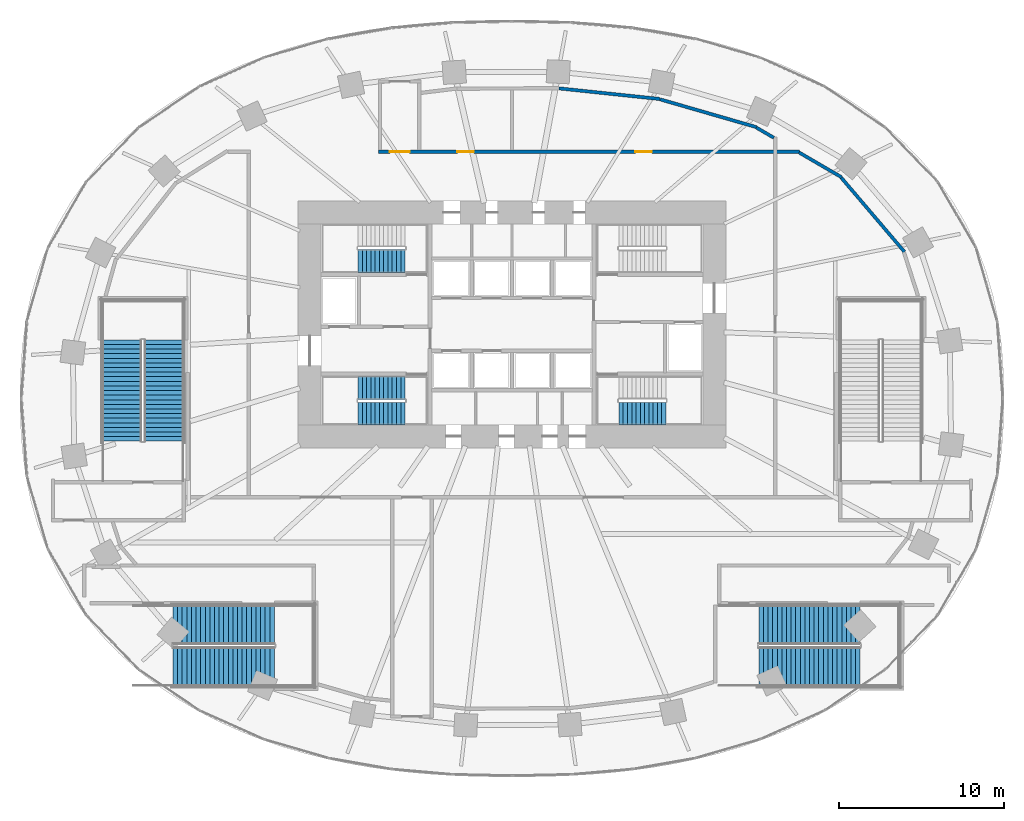
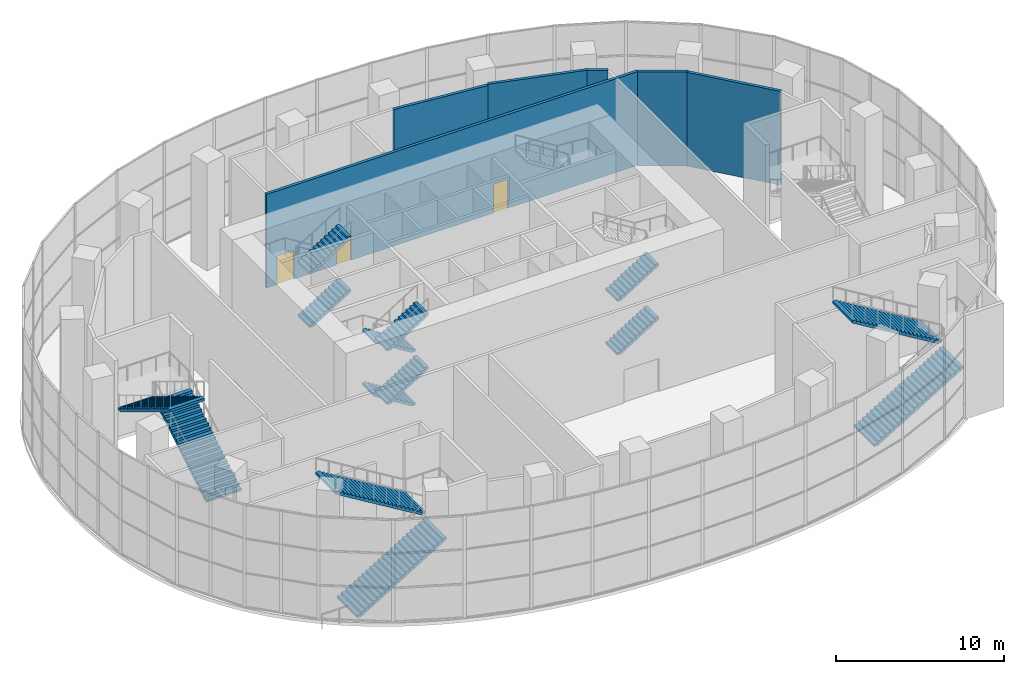
# One storey, part 16 of 22: 14 stair flights, 6 walls, 3 doors, 3 openings, 6 elements without a shape of their own.
"""IFC4 building model written with IfcOpenShell, lengths in metres."""

import ifcopenshell
import ifcopenshell.guid

model = None  # the IFC model being written
_history = None  # IfcOwnerHistory: only IFC2X3 demands one
_inside = {}  # id of a spatial element -> (the spatial element, [elements in it])
_under = {}  # id of a project, library or spatial element -> (it, [spatial elements below it])
_declared = {}  # id of a project -> (the project, [libraries it declares])
_typed = {}  # id of a type object -> (the type object, [elements of that type])
_made_of = {}  # id of a material, layer set ... -> (it, [elements and type objects made of it])


def new_model(schema):
    """Start an empty IFC model of exactly this schema.

    Asked for "IFC4X3", IfcOpenShell would pick the latest addendum, in which some entities
    have other attributes; the version numbers below select the first issue.
    IFC2X3 requires an IfcOwnerHistory on every rooted entity: one is made here for all.
    """
    global model, _history
    if schema == "IFC4X3":
        model = ifcopenshell.file(schema_version=(4, 3, 0, 0))
    else:
        model = ifcopenshell.file(schema=schema)
    _inside.clear()
    _under.clear()
    _declared.clear()
    _typed.clear()
    _made_of.clear()
    _history = None
    if model.schema == "IFC2X3":
        org = make("IfcOrganization", Name="unknown")
        user = make(
            "IfcPersonAndOrganization",
            ThePerson=make("IfcPerson", FamilyName="unknown"),
            TheOrganization=org,
        )
        app = make(
            "IfcApplication",
            ApplicationDeveloper=org,
            Version="unknown",
            ApplicationFullName="unknown",
            ApplicationIdentifier="unknown",
        )
        _history = make(
            "IfcOwnerHistory",
            OwningUser=user,
            OwningApplication=app,
            ChangeAction="ADDED",
            CreationDate=0,
        )
    return model


def make(cls, **values):
    """One entity of the class cls with the attributes given. An attribute that is None is left unset."""
    return model.create_entity(
        cls, **{name: value for name, value in values.items() if value is not None}
    )


def rooted(cls, **values):
    """An entity with a GlobalId (a new one), such as an element, a storey or a relation."""
    return make(cls, GlobalId=ifcopenshell.guid.new(), OwnerHistory=_history, **values)


def si_unit(unit_type, name, prefix=None):
    """IfcSIUnit, for example si_unit("LENGTHUNIT", "METRE", prefix="MILLI")."""
    return make("IfcSIUnit", UnitType=unit_type, Prefix=prefix, Name=name)


def assignment(units):
    """IfcUnitAssignment: the units of a project."""
    return None if units is None else make("IfcUnitAssignment", Units=units)


def point(xyz):
    """IfcCartesianPoint."""
    return None if xyz is None else make("IfcCartesianPoint", Coordinates=xyz)


def direction(xyz):
    """IfcDirection."""
    return None if xyz is None else make("IfcDirection", DirectionRatios=xyz)


def frame(location, z_axis=None, x_axis=None):
    """IfcAxis2Placement3D, a coordinate frame: its origin and axes. An axis left out is left unset."""
    return make(
        "IfcAxis2Placement3D",
        Location=point(location),
        Axis=direction(z_axis),
        RefDirection=direction(x_axis),
    )


def frame_2d(location, x_axis=None):
    """IfcAxis2Placement2D, a coordinate frame in the plane: its origin and x axis."""
    return make(
        "IfcAxis2Placement2D", Location=point(location), RefDirection=direction(x_axis)
    )


def origin():
    """The frame at (0, 0, 0) with its axes left unset."""
    return frame((0.0, 0.0, 0.0))


def place(relative_to, where):
    """IfcLocalPlacement: puts the frame where relative to a parent placement (None: the world)."""
    return make(
        "IfcLocalPlacement", PlacementRelTo=relative_to, RelativePlacement=where
    )


def context(
    kind, dimensions, precision=None, world=None, true_north=None, identifier=None
):
    """IfcGeometricRepresentationContext, for example the 3D "Model" context."""
    return make(
        "IfcGeometricRepresentationContext",
        ContextIdentifier=identifier,
        ContextType=kind,
        CoordinateSpaceDimension=dimensions,
        Precision=precision,
        WorldCoordinateSystem=world,
        TrueNorth=true_north,
    )


def subcontext(parent, identifier, kind, view, scale=None):
    """IfcGeometricRepresentationSubContext, for example "Body" below "Model"."""
    return make(
        "IfcGeometricRepresentationSubContext",
        ContextIdentifier=identifier,
        ContextType=kind,
        ParentContext=parent,
        TargetScale=scale,
        TargetView=view,
    )


def project(units=None, contexts=None):
    """IfcProject with its units and contexts."""
    return rooted(
        "IfcProject",
        Name="project",
        RepresentationContexts=contexts,
        UnitsInContext=assignment(units),
    )


def spatial(cls, under=None, at=None, **own):
    """A site, building, storey or space (cls), placed at a placement, below another one or the project."""
    s = rooted(cls, ObjectPlacement=at, **own)
    if under is not None:
        _under.setdefault(under.id(), (under, []))[1].append(s)
    return s


def polyline(points):
    """IfcPolyline through the points."""
    return make("IfcPolyline", Points=[point(p) for p in points])


def profile(cls, at=None, kind="AREA", **sizes):
    """A parametric profile (cls). Its sizes go by their IFC names, for example OverallWidth=200.0."""
    return make(cls, ProfileType=kind, Position=at, **sizes)


def rectangle(**sizes):
    """IfcRectangleProfileDef."""
    return profile("IfcRectangleProfileDef", **sizes)


def outline(outer, holes=None, kind="AREA"):
    """IfcArbitraryClosedProfileDef: a profile drawn as a closed curve; with holes, ...WithVoids."""
    if holes is None:
        return make("IfcArbitraryClosedProfileDef", ProfileType=kind, OuterCurve=outer)
    return make(
        "IfcArbitraryProfileDefWithVoids",
        ProfileType=kind,
        OuterCurve=outer,
        InnerCurves=holes,
    )


def extrude(swept, where, along, depth):
    """IfcExtrudedAreaSolid: the profile swept, set in the frame where, extruded along a direction by depth."""
    return make(
        "IfcExtrudedAreaSolid",
        SweptArea=swept,
        Position=where,
        ExtrudedDirection=direction(along),
        Depth=depth,
    )


def shape(context_of_items, identifier, shape_type, items):
    """IfcShapeRepresentation: the items that make up one representation, for example the "Body"."""
    return make(
        "IfcShapeRepresentation",
        ContextOfItems=context_of_items,
        RepresentationIdentifier=identifier,
        RepresentationType=shape_type,
        Items=items,
    )


def material(Name=None, Category=None):
    """IfcMaterial."""
    return make("IfcMaterial", Name=Name, Category=Category)


def layer(
    of_material, thickness, ventilated=None, Name=None, Category=None, Priority=None
):
    """IfcMaterialLayer: one layer of a wall or slab, of a material (None: an air gap)."""
    return make(
        "IfcMaterialLayer",
        Material=of_material,
        LayerThickness=thickness,
        IsVentilated=ventilated,
        Name=Name,
        Category=Category,
        Priority=Priority,
    )


def layer_set(layers, Name=None):
    """IfcMaterialLayerSet."""
    return make("IfcMaterialLayerSet", MaterialLayers=layers, LayerSetName=Name)


def made_of(thing, what):
    """Note that an element or type object is made of a material, layer set ...; save() writes the relation."""
    if what is not None:
        _made_of.setdefault(what.id(), (what, []))[1].append(thing)
    return thing


def type_object(cls, material=None, **own):
    """A type object (cls), such as IfcWallType, which elements share."""
    return made_of(rooted(cls, **own), material)


def element(
    cls,
    number,
    at=None,
    inside=None,
    cuts=None,
    type_object=None,
    material=None,
    context=None,
    identifier="Body",
    shape_type=None,
    held_by="IfcProductDefinitionShape",
    body=None,
    shapes=None,
    **own,
):
    """One element of the class cls, such as IfcWall. Its Tag is "e" and its number.

    at: its placement. inside: the storey or other place that contains it. cuts: it is an
    opening in that element (IfcRelVoidsElement). A single representation is given by context,
    identifier, shape_type and body (its items); several are given by shapes. held_by: the class
    of the entity that holds the representations. save() writes the other relations.
    """
    e = rooted(cls, Tag="e%d" % number, ObjectPlacement=at, **own)
    if body is not None:
        shapes = [shape(context, identifier, shape_type, body)]
    if shapes is not None:
        e.Representation = make(held_by, Representations=shapes)
    if inside is not None:
        _inside.setdefault(inside.id(), (inside, []))[1].append(e)
    if cuts is not None:
        rooted(
            "IfcRelVoidsElement", RelatingBuildingElement=cuts, RelatedOpeningElement=e
        )
    if type_object is not None:
        _typed.setdefault(type_object.id(), (type_object, []))[1].append(e)
    return made_of(e, material)


def fill(opening, filler):
    """IfcRelFillsElement: the door or window that sits in an opening."""
    return rooted(
        "IfcRelFillsElement",
        RelatingOpeningElement=opening,
        RelatedBuildingElement=filler,
    )


def aggregate(whole, parts):
    """IfcRelAggregates: a whole, such as a stair, and the parts it consists of."""
    return rooted("IfcRelAggregates", RelatingObject=whole, RelatedObjects=parts)


def save(model, path):
    """Write the relations noted so far, then the file.

    IfcRelAggregates (storeys below a building ...), IfcRelContainedInSpatialStructure (elements
    in a storey), IfcRelDefinesByType, IfcRelAssociatesMaterial and IfcRelDeclares: one each for
    every whole, place, type object, material and project.
    """
    for whole, parts in _under.values():
        aggregate(whole, parts)
    for where, things in _inside.values():
        rooted(
            "IfcRelContainedInSpatialStructure",
            RelatedElements=things,
            RelatingStructure=where,
        )
    for kind, things in _typed.values():
        rooted("IfcRelDefinesByType", RelatedObjects=things, RelatingType=kind)
    for what, things in _made_of.values():
        rooted("IfcRelAssociatesMaterial", RelatedObjects=things, RelatingMaterial=what)
    for by, libraries in _declared.values():
        rooted("IfcRelDeclares", RelatingContext=by, RelatedDefinitions=libraries)
    model.write(path)


model = new_model("IFC4")

# Units and contexts
model_context = context("Model", 3, precision=1e-05, world=origin(), true_north=direction((0.0, 1.0)))
body_context = subcontext(model_context, "Body", "Model", "MODEL_VIEW")
ifc_project = project(units=[si_unit("LENGTHUNIT", "METRE"), si_unit("AREAUNIT", "SQUARE_METRE"), si_unit("VOLUMEUNIT", "CUBIC_METRE"), si_unit("PLANEANGLEUNIT", "RADIAN"), si_unit("MASSUNIT", "GRAM", prefix="KILO")], contexts=[model_context])

# Site, building, storey
site_placement = place(None, origin())
site = spatial("IfcSite", under=ifc_project, at=site_placement, CompositionType="ELEMENT")
building_placement = place(site_placement, origin())
building = spatial("IfcBuilding", under=site, at=building_placement, Name="Rubra Terraces Tower", CompositionType="ELEMENT")
storey_placement = place(building_placement, frame((0.0, 0.0, 15.0)))
storey = spatial("IfcBuildingStorey", under=building, at=storey_placement, Name="L02", CompositionType="ELEMENT", Elevation=15.0)

# Wall, openings, doors
ifc_material_1 = material(Name="Blockwork", Category="masonry")
ifc_layer_1 = layer(ifc_material_1, 0.199951171875)
ifc_layer_set_1 = layer_set([ifc_layer_1], Name="Blockwork")
wall_type_1 = type_object("IfcWallType", Name="Corridor partition 200 blockwork", PredefinedType="PARTITIONING", material=ifc_layer_set_1)
wall_1_placement = place(storey_placement, frame((17.45703125, 15.0, 0.0), z_axis=(0.0, 0.0, 1.0), x_axis=(-1.0, 0.0, 0.0)))
wall_1 = element("IfcWall", 1, at=wall_1_placement, inside=storey, type_object=wall_type_1, Name="Partition wall", PredefinedType="PARTITIONING", context=body_context, shape_type="SweptSolid", body=[
    extrude(rectangle(XDim=25.5849609375, YDim=0.199951171875, at=frame_2d((12.79248046875, 0.0))), origin(), (0.0, 0.0, 1.0), 6.830078125),
])
opening_1_placement = place(wall_1_placement, frame((23.68505859375, 0.0, 0.0)))
opening_1 = element("IfcOpeningElement", 2, at=opening_1_placement, cuts=wall_1, Name="Opening DB7", PredefinedType="OPENING", context=body_context, shape_type="SweptSolid", body=[
    extrude(rectangle(XDim=1.199951171875, YDim=2.10009765625, at=frame_2d((0.60009765625, 1.050048828125))), frame((0.0, 0.10986328125, 0.0), z_axis=(0.0, -1.0, 0.0), x_axis=(1.0, 0.0, 0.0)), (0.0, 0.0, 1.0), 0.219970703125),
])
opening_2_placement = place(wall_1_placement, frame((19.77099609375, 0.0, 0.0)))
opening_2 = element("IfcOpeningElement", 3, at=opening_2_placement, cuts=wall_1, Name="Opening DB1", PredefinedType="OPENING", context=body_context, shape_type="SweptSolid", body=[
    extrude(rectangle(XDim=1.0, YDim=2.10009765625, at=frame_2d((0.5, 1.050048828125))), frame((0.0, 0.10986328125, 0.0), z_axis=(0.0, -1.0, 0.0), x_axis=(1.0, 0.0, 0.0)), (0.0, 0.0, 1.0), 0.219970703125),
])
opening_3_placement = place(wall_1_placement, frame((8.95703125, 0.0, 0.0)))
opening_3 = element("IfcOpeningElement", 4, at=opening_3_placement, cuts=wall_1, Name="Opening DB1", PredefinedType="OPENING", context=body_context, shape_type="SweptSolid", body=[
    extrude(rectangle(XDim=1.0, YDim=2.10009765625, at=frame_2d((0.5, 1.050048828125))), frame((0.0, 0.10986328125, 0.0), z_axis=(0.0, -1.0, 0.0), x_axis=(1.0, 0.0, 0.0)), (0.0, 0.0, 1.0), 0.219970703125),
])
ifc_material_2 = material(Name="Painted timber", Category="wood")
door_type_1 = type_object("IfcDoorType", Name="Door 1000x2100 single", OperationType="NOTDEFINED", PredefinedType="DOOR", material=ifc_material_2)
door_1_placement = place(opening_2_placement, origin())
door_1 = element("IfcDoor", 5, at=door_1_placement, inside=storey, type_object=door_type_1, Name="Door L02-13", OperationType="SINGLE_SWING_LEFT", OverallHeight=2.10009765625, OverallWidth=1.0, PredefinedType="DOOR", context=body_context, shape_type="SweptSolid", body=[
    extrude(rectangle(XDim=1.0, YDim=2.10009765625, at=frame_2d((0.5, 1.050048828125))), frame((0.0, 0.02490234375, 0.0), z_axis=(0.0, -1.0, 0.0), x_axis=(1.0, 0.0, 0.0)), (0.0, 0.0, 1.0), 0.050048828125),
])
fill(opening_2, door_1)
door_2_placement = place(opening_3_placement, origin())
door_2 = element("IfcDoor", 6, at=door_2_placement, inside=storey, type_object=door_type_1, Name="Door L02-14", OperationType="SINGLE_SWING_LEFT", OverallHeight=2.10009765625, OverallWidth=1.0, PredefinedType="DOOR", context=body_context, shape_type="SweptSolid", body=[
    extrude(rectangle(XDim=1.0, YDim=2.10009765625, at=frame_2d((0.5, 1.050048828125))), frame((0.0, 0.02490234375, 0.0), z_axis=(0.0, -1.0, 0.0), x_axis=(1.0, 0.0, 0.0)), (0.0, 0.0, 1.0), 0.050048828125),
])
fill(opening_3, door_2)
door_type_2 = type_object("IfcDoorType", Name="Door 1200x2100 single", OperationType="NOTDEFINED", PredefinedType="DOOR", material=ifc_material_2)
door_3_placement = place(opening_1_placement, origin())
door_3 = element("IfcDoor", 7, at=door_3_placement, inside=storey, type_object=door_type_2, Name="Door L02-01", OperationType="SINGLE_SWING_LEFT", OverallHeight=2.10009765625, OverallWidth=1.199951171875, PredefinedType="DOOR", context=body_context, shape_type="SweptSolid", body=[
    extrude(rectangle(XDim=1.199951171875, YDim=2.10009765625, at=frame_2d((0.60009765625, 1.050048828125))), frame((0.0, 0.02490234375, 0.0), z_axis=(0.0, -1.0, 0.0), x_axis=(1.0, 0.0, 0.0)), (0.0, 0.0, 1.0), 0.050048828125),
])
fill(opening_1, door_3)

# Walls
wall_2_placement = place(storey_placement, frame((17.443115234375, 14.949951171875, 0.0), z_axis=(0.0, 0.0, 1.0), x_axis=(0.863767096464, -0.503891261153, 0.0)))
element("IfcWall", 8, at=wall_2_placement, inside=storey, type_object=wall_type_1, Name="Partition wall", PredefinedType="PARTITIONING", context=body_context, shape_type="SweptSolid", body=[
    extrude(rectangle(XDim=3.00048828125, YDim=0.199951171875, at=frame_2d((1.500244140625, 0.0))), origin(), (0.0, 0.0, 1.0), 6.830078125),
])
wall_3_placement = place(storey_placement, frame((20.013916015625, 13.412109375, 0.0), z_axis=(0.0, 0.0, 1.0), x_axis=(0.648657765017, -0.761080221714, 0.0)))
element("IfcWall", 9, at=wall_3_placement, inside=storey, type_object=wall_type_1, Name="Partition wall", PredefinedType="PARTITIONING", context=body_context, shape_type="SweptSolid", body=[
    extrude(rectangle(XDim=5.91552734375, YDim=0.199951171875, at=frame_2d((2.957763671875, 0.0))), origin(), (0.0, 0.0, 1.0), 6.830078125),
])
wall_4_placement = place(storey_placement, frame((2.860107421875, 18.843994140625, 0.0), z_axis=(0.0, 0.0, 1.0), x_axis=(0.994494179805, -0.10479182379, 0.0)))
element("IfcWall", 10, at=wall_4_placement, inside=storey, type_object=wall_type_1, Name="Partition wall", PredefinedType="PARTITIONING", context=body_context, shape_type="SweptSolid", body=[
    extrude(rectangle(XDim=6.173828125, YDim=0.199951171875, at=frame_2d((3.0869140625, 0.0))), origin(), (0.0, 0.0, 1.0), 6.830078125),
])
ifc_layer_2 = layer(ifc_material_1, 0.199951171875)
ifc_layer_set_2 = layer_set([ifc_layer_2], Name="Blockwork")
wall_type_2 = type_object("IfcWallType", Name="Room partition 200 blockwork", PredefinedType="PARTITIONING", material=ifc_layer_set_2)
wall_5_placement = place(storey_placement, frame((8.9970703125, 18.178955078125, 0.0), z_axis=(0.0, 0.0, 1.0), x_axis=(0.960743591904, -0.277437831982, 0.0)))
element("IfcWall", 11, at=wall_5_placement, inside=storey, type_object=wall_type_2, Name="Partition wall", PredefinedType="PARTITIONING", context=body_context, shape_type="SweptSolid", body=[
    extrude(rectangle(XDim=6.098388671875, YDim=0.199951171875, at=frame_2d((3.04931640625, 0.0))), origin(), (0.0, 0.0, 1.0), 6.93408203125),
])
wall_6_placement = place(storey_placement, frame((14.845947265625, 16.465087890625, 0.0), z_axis=(0.0, 0.0, 1.0), x_axis=(0.863786061732, -0.503858749609, 0.0)))
element("IfcWall", 12, at=wall_6_placement, inside=storey, type_object=wall_type_2, Name="Partition wall", PredefinedType="PARTITIONING", context=body_context, shape_type="SweptSolid", body=[
    extrude(rectangle(XDim=1.236572265625, YDim=0.199951171875, at=frame_2d((0.6181640625, 0.0))), origin(), (0.0, 0.0, 1.0), 6.93408203125),
])

# Stair, stair flights
ifc_material_3 = material(Name="Concrete C40", Category="concrete")
stair_type_1 = type_object("IfcStairType", Name="Core stair 1400", PredefinedType="HALF_TURN_STAIR", material=ifc_material_3)
stair_1_placement = place(storey_placement, origin())
stair_1 = element("IfcStair", 13, at=stair_1_placement, inside=storey, type_object=stair_type_1, Name="L02 Exit stair S1", PredefinedType="HALF_TURN_STAIR")
stair_flight_type_1 = type_object("IfcStairFlightType", Name="Core stair flight 1400", PredefinedType="STRAIGHT", material=ifc_material_3)
stair_flight_1_placement = place(storey_placement, frame((-6.5, 0.64990234375, 0.0), z_axis=(0.0, 0.0, 1.0), x_axis=(-1.0, 0.0, 0.0)))
stair_flight_1 = element("IfcStairFlight", 14, at=stair_flight_1_placement, type_object=stair_flight_type_1, Name="S1 flight 1", NumberOfRisers=12, NumberOfTreads=11, PredefinedType="STRAIGHT", RiserHeight=0.1625, TreadLength=0.26, context=body_context, shape_type="SweptSolid", body=[
    extrude(outline(polyline([(0.0, 0.0), (0.0, 0.16259765625), (0.260009765625, 0.16259765625), (0.260009765625, 0.324951171875), (0.52001953125, 0.324951171875), (0.52001953125, 0.487548828125), (0.780029296875, 0.487548828125), (0.780029296875, 0.64990234375), (1.0400390625, 0.64990234375), (1.0400390625, 0.8125), (1.300048828125, 0.8125), (1.300048828125, 0.97509765625), (1.56005859375, 0.97509765625), (1.56005859375, 1.137451171875), (1.820068359375, 1.137451171875), (1.820068359375, 1.300048828125), (2.080078125, 1.300048828125), (2.080078125, 1.46240234375), (2.340087890625, 1.46240234375), (2.340087890625, 1.625), (2.60009765625, 1.625), (2.60009765625, 1.78759765625), (2.860107421875, 1.78759765625), (2.860107421875, 1.949951171875), (2.860107421875, 1.61083984375), (0.28271484375, 0.0), (0.0, 0.0)])), frame((0.0, 0.699951171875, 0.0), z_axis=(0.0, -1.0, 0.0), x_axis=(1.0, 0.0, 0.0)), (0.0, 0.0, 1.0), 1.39990234375),
])
stair_flight_2_placement = place(storey_placement, frame((-9.360107421875, -0.89990234375, 1.949951171875), z_axis=(0.0, 0.0, 1.0), x_axis=(1.0, 0.0, 0.0)))
stair_flight_2 = element("IfcStairFlight", 15, at=stair_flight_2_placement, type_object=stair_flight_type_1, Name="S1 flight 2", NumberOfRisers=12, NumberOfTreads=11, PredefinedType="STRAIGHT", RiserHeight=0.1625, TreadLength=0.26, context=body_context, shape_type="SweptSolid", body=[
    extrude(outline(polyline([(0.0, 0.0), (0.0, 0.16259765625), (0.260009765625, 0.16259765625), (0.260009765625, 0.324951171875), (0.52001953125, 0.324951171875), (0.52001953125, 0.487548828125), (0.780029296875, 0.487548828125), (0.780029296875, 0.64990234375), (1.0400390625, 0.64990234375), (1.0400390625, 0.8125), (1.300048828125, 0.8125), (1.300048828125, 0.97509765625), (1.56005859375, 0.97509765625), (1.56005859375, 1.137451171875), (1.820068359375, 1.137451171875), (1.820068359375, 1.300048828125), (2.080078125, 1.300048828125), (2.080078125, 1.46240234375), (2.340087890625, 1.46240234375), (2.340087890625, 1.625), (2.60009765625, 1.625), (2.60009765625, 1.78759765625), (2.860107421875, 1.78759765625), (2.860107421875, 1.949951171875), (2.860107421875, 1.61083984375), (0.28271484375, 0.0), (0.0, 0.0)])), frame((0.0, 0.699951171875, 0.0), z_axis=(0.0, -1.0, 0.0), x_axis=(1.0, 0.0, 0.0)), (0.0, 0.0, 1.0), 1.39990234375),
])
stair_flight_3_placement = place(storey_placement, frame((-6.5, 0.64990234375, 3.89990234375), z_axis=(0.0, 0.0, 1.0), x_axis=(-1.0, 0.0, 0.0)))
stair_flight_3 = element("IfcStairFlight", 16, at=stair_flight_3_placement, type_object=stair_flight_type_1, Name="S1 flight 3", NumberOfRisers=12, NumberOfTreads=11, PredefinedType="STRAIGHT", RiserHeight=0.1625, TreadLength=0.26, context=body_context, shape_type="SweptSolid", body=[
    extrude(outline(polyline([(0.0, 0.0), (0.0, 0.16259765625), (0.260009765625, 0.16259765625), (0.260009765625, 0.324951171875), (0.52001953125, 0.324951171875), (0.52001953125, 0.487548828125), (0.780029296875, 0.487548828125), (0.780029296875, 0.64990234375), (1.0400390625, 0.64990234375), (1.0400390625, 0.8125), (1.300048828125, 0.8125), (1.300048828125, 0.97509765625), (1.56005859375, 0.97509765625), (1.56005859375, 1.137451171875), (1.820068359375, 1.137451171875), (1.820068359375, 1.300048828125), (2.080078125, 1.300048828125), (2.080078125, 1.46240234375), (2.340087890625, 1.46240234375), (2.340087890625, 1.625), (2.60009765625, 1.625), (2.60009765625, 1.78759765625), (2.860107421875, 1.78759765625), (2.860107421875, 1.949951171875), (2.860107421875, 1.61083984375), (0.28271484375, 0.0), (0.0, 0.0)])), frame((0.0, 0.699951171875, 0.0), z_axis=(0.0, -1.0, 0.0), x_axis=(1.0, 0.0, 0.0)), (0.0, 0.0, 1.0), 1.39990234375),
])
stair_flight_4_placement = place(storey_placement, frame((-9.360107421875, -0.89990234375, 5.85009765625), z_axis=(0.0, 0.0, 1.0), x_axis=(1.0, 0.0, 0.0)))
stair_flight_4 = element("IfcStairFlight", 17, at=stair_flight_4_placement, type_object=stair_flight_type_1, Name="S1 flight 4", NumberOfRisers=12, NumberOfTreads=11, PredefinedType="STRAIGHT", RiserHeight=0.1625, TreadLength=0.26, context=body_context, shape_type="SweptSolid", body=[
    extrude(outline(polyline([(0.0, 0.0), (0.0, 0.16259765625), (0.260009765625, 0.16259765625), (0.260009765625, 0.324951171875), (0.52001953125, 0.324951171875), (0.52001953125, 0.487548828125), (0.780029296875, 0.487548828125), (0.780029296875, 0.64990234375), (1.0400390625, 0.64990234375), (1.0400390625, 0.8125), (1.300048828125, 0.8125), (1.300048828125, 0.97509765625), (1.56005859375, 0.97509765625), (1.56005859375, 1.137451171875), (1.820068359375, 1.137451171875), (1.820068359375, 1.300048828125), (2.080078125, 1.300048828125), (2.080078125, 1.46240234375), (2.340087890625, 1.46240234375), (2.340087890625, 1.625), (2.60009765625, 1.625), (2.60009765625, 1.78759765625), (2.860107421875, 1.78759765625), (2.860107421875, 1.949951171875), (2.860107421875, 1.61083984375), (0.28271484375, 0.0), (0.0, 0.0)])), frame((0.0, 0.699951171875, 0.0), z_axis=(0.0, -1.0, 0.0), x_axis=(1.0, 0.0, 0.0)), (0.0, 0.0, 1.0), 1.39990234375),
])
aggregate(stair_1, [stair_flight_1, stair_flight_2, stair_flight_3, stair_flight_4])

stair_2_placement = place(storey_placement, origin())
stair_2 = element("IfcStair", 18, at=stair_2_placement, inside=storey, type_object=stair_type_1, Name="L02 Exit stair S2", PredefinedType="HALF_TURN_STAIR")
stair_flight_5_placement = place(storey_placement, frame((-9.360107421875, 8.35009765625, 1.949951171875), z_axis=(0.0, 0.0, 1.0), x_axis=(1.0, 0.0, 0.0)))
stair_flight_5 = element("IfcStairFlight", 19, at=stair_flight_5_placement, type_object=stair_flight_type_1, Name="S2 flight 2", NumberOfRisers=12, NumberOfTreads=11, PredefinedType="STRAIGHT", RiserHeight=0.1625, TreadLength=0.26, context=body_context, shape_type="SweptSolid", body=[
    extrude(outline(polyline([(0.0, 0.0), (0.0, 0.16259765625), (0.260009765625, 0.16259765625), (0.260009765625, 0.324951171875), (0.52001953125, 0.324951171875), (0.52001953125, 0.487548828125), (0.780029296875, 0.487548828125), (0.780029296875, 0.64990234375), (1.0400390625, 0.64990234375), (1.0400390625, 0.8125), (1.300048828125, 0.8125), (1.300048828125, 0.97509765625), (1.56005859375, 0.97509765625), (1.56005859375, 1.137451171875), (1.820068359375, 1.137451171875), (1.820068359375, 1.300048828125), (2.080078125, 1.300048828125), (2.080078125, 1.46240234375), (2.340087890625, 1.46240234375), (2.340087890625, 1.625), (2.60009765625, 1.625), (2.60009765625, 1.78759765625), (2.860107421875, 1.78759765625), (2.860107421875, 1.949951171875), (2.860107421875, 1.61083984375), (0.28271484375, 0.0), (0.0, 0.0)])), frame((0.0, 0.699951171875, 0.0), z_axis=(0.0, -1.0, 0.0), x_axis=(1.0, 0.0, 0.0)), (0.0, 0.0, 1.0), 1.39990234375),
])
stair_flight_6_placement = place(storey_placement, frame((-9.360107421875, 8.35009765625, 5.85009765625), z_axis=(0.0, 0.0, 1.0), x_axis=(1.0, 0.0, 0.0)))
stair_flight_6 = element("IfcStairFlight", 20, at=stair_flight_6_placement, type_object=stair_flight_type_1, Name="S2 flight 4", NumberOfRisers=12, NumberOfTreads=11, PredefinedType="STRAIGHT", RiserHeight=0.1625, TreadLength=0.26, context=body_context, shape_type="SweptSolid", body=[
    extrude(outline(polyline([(0.0, 0.0), (0.0, 0.16259765625), (0.260009765625, 0.16259765625), (0.260009765625, 0.324951171875), (0.52001953125, 0.324951171875), (0.52001953125, 0.487548828125), (0.780029296875, 0.487548828125), (0.780029296875, 0.64990234375), (1.0400390625, 0.64990234375), (1.0400390625, 0.8125), (1.300048828125, 0.8125), (1.300048828125, 0.97509765625), (1.56005859375, 0.97509765625), (1.56005859375, 1.137451171875), (1.820068359375, 1.137451171875), (1.820068359375, 1.300048828125), (2.080078125, 1.300048828125), (2.080078125, 1.46240234375), (2.340087890625, 1.46240234375), (2.340087890625, 1.625), (2.60009765625, 1.625), (2.60009765625, 1.78759765625), (2.860107421875, 1.78759765625), (2.860107421875, 1.949951171875), (2.860107421875, 1.61083984375), (0.28271484375, 0.0), (0.0, 0.0)])), frame((0.0, 0.699951171875, 0.0), z_axis=(0.0, -1.0, 0.0), x_axis=(1.0, 0.0, 0.0)), (0.0, 0.0, 1.0), 1.39990234375),
])
aggregate(stair_2, [stair_flight_5, stair_flight_6])

stair_3_placement = place(storey_placement, origin())
stair_3 = element("IfcStair", 21, at=stair_3_placement, inside=storey, type_object=stair_type_1, Name="L02 Exit stair S4", PredefinedType="HALF_TURN_STAIR")
stair_flight_7_placement = place(storey_placement, frame((6.5, -0.89990234375, 0.0), z_axis=(0.0, 0.0, 1.0), x_axis=(1.0, 0.0, 0.0)))
stair_flight_7 = element("IfcStairFlight", 22, at=stair_flight_7_placement, type_object=stair_flight_type_1, Name="S4 flight 1", NumberOfRisers=12, NumberOfTreads=11, PredefinedType="STRAIGHT", RiserHeight=0.1625, TreadLength=0.26, context=body_context, shape_type="SweptSolid", body=[
    extrude(outline(polyline([(0.0, 0.0), (0.0, 0.16259765625), (0.260009765625, 0.16259765625), (0.260009765625, 0.324951171875), (0.52001953125, 0.324951171875), (0.52001953125, 0.487548828125), (0.780029296875, 0.487548828125), (0.780029296875, 0.64990234375), (1.0400390625, 0.64990234375), (1.0400390625, 0.8125), (1.300048828125, 0.8125), (1.300048828125, 0.97509765625), (1.56005859375, 0.97509765625), (1.56005859375, 1.137451171875), (1.820068359375, 1.137451171875), (1.820068359375, 1.300048828125), (2.080078125, 1.300048828125), (2.080078125, 1.46240234375), (2.340087890625, 1.46240234375), (2.340087890625, 1.625), (2.60009765625, 1.625), (2.60009765625, 1.78759765625), (2.860107421875, 1.78759765625), (2.860107421875, 1.949951171875), (2.860107421875, 1.61083984375), (0.28271484375, 0.0), (0.0, 0.0)])), frame((0.0, 0.699951171875, 0.0), z_axis=(0.0, -1.0, 0.0), x_axis=(1.0, 0.0, 0.0)), (0.0, 0.0, 1.0), 1.39990234375),
])
stair_flight_8_placement = place(storey_placement, frame((6.5, -0.89990234375, 3.89990234375), z_axis=(0.0, 0.0, 1.0), x_axis=(1.0, 0.0, 0.0)))
stair_flight_8 = element("IfcStairFlight", 23, at=stair_flight_8_placement, type_object=stair_flight_type_1, Name="S4 flight 3", NumberOfRisers=12, NumberOfTreads=11, PredefinedType="STRAIGHT", RiserHeight=0.1625, TreadLength=0.26, context=body_context, shape_type="SweptSolid", body=[
    extrude(outline(polyline([(0.0, 0.0), (0.0, 0.16259765625), (0.260009765625, 0.16259765625), (0.260009765625, 0.324951171875), (0.52001953125, 0.324951171875), (0.52001953125, 0.487548828125), (0.780029296875, 0.487548828125), (0.780029296875, 0.64990234375), (1.0400390625, 0.64990234375), (1.0400390625, 0.8125), (1.300048828125, 0.8125), (1.300048828125, 0.97509765625), (1.56005859375, 0.97509765625), (1.56005859375, 1.137451171875), (1.820068359375, 1.137451171875), (1.820068359375, 1.300048828125), (2.080078125, 1.300048828125), (2.080078125, 1.46240234375), (2.340087890625, 1.46240234375), (2.340087890625, 1.625), (2.60009765625, 1.625), (2.60009765625, 1.78759765625), (2.860107421875, 1.78759765625), (2.860107421875, 1.949951171875), (2.860107421875, 1.61083984375), (0.28271484375, 0.0), (0.0, 0.0)])), frame((0.0, 0.699951171875, 0.0), z_axis=(0.0, -1.0, 0.0), x_axis=(1.0, 0.0, 0.0)), (0.0, 0.0, 1.0), 1.39990234375),
])
aggregate(stair_3, [stair_flight_7, stair_flight_8])

ifc_material_4 = material(Name="Concrete C40/50", Category="concrete")
stair_type_2 = type_object("IfcStairType", Name="Public stair", PredefinedType="HALF_TURN_STAIR", material=ifc_material_4)
stair_4_placement = place(storey_placement, origin())
stair_4 = element("IfcStair", 24, at=stair_4_placement, inside=storey, type_object=stair_type_2, Name="L02 public stair PS1", PredefinedType="HALF_TURN_STAIR")
stair_flight_type_2 = type_object("IfcStairFlightType", Name="Public stair flight 2400", PredefinedType="STRAIGHT", material=ifc_material_4)
stair_flight_9_placement = place(storey_placement, frame((-21.14990234375, -2.60009765625, 0.0), z_axis=(0.0, 0.0, 1.0), x_axis=(0.0, 1.0, 0.0)))
stair_flight_9 = element("IfcStairFlight", 25, at=stair_flight_9_placement, type_object=stair_flight_type_2, Name="PS1 flight 1", NumberOfRisers=23, NumberOfTreads=22, PredefinedType="STRAIGHT", RiserHeight=0.169565217, TreadLength=0.28, context=body_context, shape_type="SweptSolid", body=[
    extrude(outline(polyline([(0.0, 0.0), (0.0, 0.169677734375), (0.280029296875, 0.169677734375), (0.280029296875, 0.339111328125), (0.56005859375, 0.339111328125), (0.56005859375, 0.5087890625), (0.840087890625, 0.5087890625), (0.840087890625, 0.67822265625), (1.1201171875, 0.67822265625), (1.1201171875, 0.847900390625), (1.39990234375, 0.847900390625), (1.39990234375, 1.017333984375), (1.679931640625, 1.017333984375), (1.679931640625, 1.18701171875), (1.9599609375, 1.18701171875), (1.9599609375, 1.3564453125), (2.239990234375, 1.3564453125), (2.239990234375, 1.526123046875), (2.52001953125, 1.526123046875), (2.52001953125, 1.695556640625), (2.800048828125, 1.695556640625), (2.800048828125, 1.865234375), (3.080078125, 1.865234375), (3.080078125, 2.03466796875), (3.360107421875, 2.03466796875), (3.360107421875, 2.204345703125), (3.639892578125, 2.204345703125), (3.639892578125, 2.3740234375), (3.919921875, 2.3740234375), (3.919921875, 2.54345703125), (4.199951171875, 2.54345703125), (4.199951171875, 2.713134765625), (4.47998046875, 2.713134765625), (4.47998046875, 2.882568359375), (4.760009765625, 2.882568359375), (4.760009765625, 3.05224609375), (5.0400390625, 3.05224609375), (5.0400390625, 3.2216796875), (5.320068359375, 3.2216796875), (5.320068359375, 3.391357421875), (5.60009765625, 3.391357421875), (5.60009765625, 3.560791015625), (5.8798828125, 3.560791015625), (5.8798828125, 3.73046875), (6.159912109375, 3.73046875), (6.159912109375, 3.89990234375), (6.159912109375, 3.55517578125), (0.289306640625, 0.0), (0.0, 0.0)])), frame((0.0, 1.199951171875, 0.0), z_axis=(0.0, -1.0, 0.0), x_axis=(1.0, 0.0, 0.0)), (0.0, 0.0, 1.0), 2.39990234375),
])
stair_flight_10_placement = place(storey_placement, frame((-23.699951171875, 3.56005859375, 3.89990234375), z_axis=(0.0, 0.0, 1.0), x_axis=(0.0, -1.0, 0.0)))
stair_flight_10 = element("IfcStairFlight", 26, at=stair_flight_10_placement, type_object=stair_flight_type_2, Name="PS1 flight 2", NumberOfRisers=23, NumberOfTreads=22, PredefinedType="STRAIGHT", RiserHeight=0.169565217, TreadLength=0.28, context=body_context, shape_type="SweptSolid", body=[
    extrude(outline(polyline([(0.0, 0.0), (0.0, 0.169677734375), (0.280029296875, 0.169677734375), (0.280029296875, 0.339111328125), (0.56005859375, 0.339111328125), (0.56005859375, 0.5087890625), (0.840087890625, 0.5087890625), (0.840087890625, 0.67822265625), (1.1201171875, 0.67822265625), (1.1201171875, 0.847900390625), (1.39990234375, 0.847900390625), (1.39990234375, 1.017333984375), (1.679931640625, 1.017333984375), (1.679931640625, 1.18701171875), (1.9599609375, 1.18701171875), (1.9599609375, 1.3564453125), (2.239990234375, 1.3564453125), (2.239990234375, 1.526123046875), (2.52001953125, 1.526123046875), (2.52001953125, 1.695556640625), (2.800048828125, 1.695556640625), (2.800048828125, 1.865234375), (3.080078125, 1.865234375), (3.080078125, 2.03466796875), (3.360107421875, 2.03466796875), (3.360107421875, 2.204345703125), (3.639892578125, 2.204345703125), (3.639892578125, 2.3740234375), (3.919921875, 2.3740234375), (3.919921875, 2.54345703125), (4.199951171875, 2.54345703125), (4.199951171875, 2.713134765625), (4.47998046875, 2.713134765625), (4.47998046875, 2.882568359375), (4.760009765625, 2.882568359375), (4.760009765625, 3.05224609375), (5.0400390625, 3.05224609375), (5.0400390625, 3.2216796875), (5.320068359375, 3.2216796875), (5.320068359375, 3.391357421875), (5.60009765625, 3.391357421875), (5.60009765625, 3.560791015625), (5.8798828125, 3.560791015625), (5.8798828125, 3.73046875), (6.159912109375, 3.73046875), (6.159912109375, 3.89990234375), (6.159912109375, 3.55517578125), (0.289306640625, 0.0), (0.0, 0.0)])), frame((0.0, 1.199951171875, 0.0), z_axis=(0.0, -1.0, 0.0), x_axis=(1.0, 0.0, 0.0)), (0.0, 0.0, 1.0), 2.39990234375),
])
aggregate(stair_4, [stair_flight_9, stair_flight_10])

stair_5_placement = place(storey_placement, origin())
stair_5 = element("IfcStair", 27, at=stair_5_placement, inside=storey, type_object=stair_type_2, Name="L02 public stair PS3", PredefinedType="HALF_TURN_STAIR")
stair_flight_11_placement = place(storey_placement, frame((-20.60009765625, -16.300048828125, 0.0), z_axis=(0.0, 0.0, 1.0), x_axis=(1.0, 0.0, 0.0)))
stair_flight_11 = element("IfcStairFlight", 28, at=stair_flight_11_placement, type_object=stair_flight_type_2, Name="PS3 flight 1", NumberOfRisers=23, NumberOfTreads=22, PredefinedType="STRAIGHT", RiserHeight=0.169565217, TreadLength=0.28, context=body_context, shape_type="SweptSolid", body=[
    extrude(outline(polyline([(0.0, 0.0), (0.0, 0.169677734375), (0.280029296875, 0.169677734375), (0.280029296875, 0.339111328125), (0.56005859375, 0.339111328125), (0.56005859375, 0.5087890625), (0.840087890625, 0.5087890625), (0.840087890625, 0.67822265625), (1.1201171875, 0.67822265625), (1.1201171875, 0.847900390625), (1.39990234375, 0.847900390625), (1.39990234375, 1.017333984375), (1.679931640625, 1.017333984375), (1.679931640625, 1.18701171875), (1.9599609375, 1.18701171875), (1.9599609375, 1.3564453125), (2.239990234375, 1.3564453125), (2.239990234375, 1.526123046875), (2.52001953125, 1.526123046875), (2.52001953125, 1.695556640625), (2.800048828125, 1.695556640625), (2.800048828125, 1.865234375), (3.080078125, 1.865234375), (3.080078125, 2.03466796875), (3.360107421875, 2.03466796875), (3.360107421875, 2.204345703125), (3.639892578125, 2.204345703125), (3.639892578125, 2.3740234375), (3.919921875, 2.3740234375), (3.919921875, 2.54345703125), (4.199951171875, 2.54345703125), (4.199951171875, 2.713134765625), (4.47998046875, 2.713134765625), (4.47998046875, 2.882568359375), (4.760009765625, 2.882568359375), (4.760009765625, 3.05224609375), (5.0400390625, 3.05224609375), (5.0400390625, 3.2216796875), (5.320068359375, 3.2216796875), (5.320068359375, 3.391357421875), (5.60009765625, 3.391357421875), (5.60009765625, 3.560791015625), (5.8798828125, 3.560791015625), (5.8798828125, 3.73046875), (6.159912109375, 3.73046875), (6.159912109375, 3.89990234375), (6.159912109375, 3.55517578125), (0.289306640625, 0.0), (0.0, 0.0)])), frame((0.0, 1.199951171875, 0.0), z_axis=(0.0, -1.0, 0.0), x_axis=(1.0, 0.0, 0.0)), (0.0, 0.0, 1.0), 2.39990234375),
])
stair_flight_12_placement = place(storey_placement, frame((-14.43994140625, -13.75, 3.89990234375), z_axis=(0.0, 0.0, 1.0), x_axis=(-1.0, 0.0, 0.0)))
stair_flight_12 = element("IfcStairFlight", 29, at=stair_flight_12_placement, type_object=stair_flight_type_2, Name="PS3 flight 2", NumberOfRisers=23, NumberOfTreads=22, PredefinedType="STRAIGHT", RiserHeight=0.169565217, TreadLength=0.28, context=body_context, shape_type="SweptSolid", body=[
    extrude(outline(polyline([(0.0, 0.0), (0.0, 0.169677734375), (0.280029296875, 0.169677734375), (0.280029296875, 0.339111328125), (0.56005859375, 0.339111328125), (0.56005859375, 0.5087890625), (0.840087890625, 0.5087890625), (0.840087890625, 0.67822265625), (1.1201171875, 0.67822265625), (1.1201171875, 0.847900390625), (1.39990234375, 0.847900390625), (1.39990234375, 1.017333984375), (1.679931640625, 1.017333984375), (1.679931640625, 1.18701171875), (1.9599609375, 1.18701171875), (1.9599609375, 1.3564453125), (2.239990234375, 1.3564453125), (2.239990234375, 1.526123046875), (2.52001953125, 1.526123046875), (2.52001953125, 1.695556640625), (2.800048828125, 1.695556640625), (2.800048828125, 1.865234375), (3.080078125, 1.865234375), (3.080078125, 2.03466796875), (3.360107421875, 2.03466796875), (3.360107421875, 2.204345703125), (3.639892578125, 2.204345703125), (3.639892578125, 2.3740234375), (3.919921875, 2.3740234375), (3.919921875, 2.54345703125), (4.199951171875, 2.54345703125), (4.199951171875, 2.713134765625), (4.47998046875, 2.713134765625), (4.47998046875, 2.882568359375), (4.760009765625, 2.882568359375), (4.760009765625, 3.05224609375), (5.0400390625, 3.05224609375), (5.0400390625, 3.2216796875), (5.320068359375, 3.2216796875), (5.320068359375, 3.391357421875), (5.60009765625, 3.391357421875), (5.60009765625, 3.560791015625), (5.8798828125, 3.560791015625), (5.8798828125, 3.73046875), (6.159912109375, 3.73046875), (6.159912109375, 3.89990234375), (6.159912109375, 3.55517578125), (0.289306640625, 0.0), (0.0, 0.0)])), frame((0.0, 1.199951171875, 0.0), z_axis=(0.0, -1.0, 0.0), x_axis=(1.0, 0.0, 0.0)), (0.0, 0.0, 1.0), 2.39990234375),
])
aggregate(stair_5, [stair_flight_11, stair_flight_12])

stair_6_placement = place(storey_placement, origin())
stair_6 = element("IfcStair", 30, at=stair_6_placement, inside=storey, type_object=stair_type_2, Name="L02 public stair PS4", PredefinedType="HALF_TURN_STAIR")
stair_flight_13_placement = place(storey_placement, frame((15.0, -16.300048828125, 0.0), z_axis=(0.0, 0.0, 1.0), x_axis=(1.0, 0.0, 0.0)))
stair_flight_13 = element("IfcStairFlight", 31, at=stair_flight_13_placement, type_object=stair_flight_type_2, Name="PS4 flight 1", NumberOfRisers=23, NumberOfTreads=22, PredefinedType="STRAIGHT", RiserHeight=0.169565217, TreadLength=0.28, context=body_context, shape_type="SweptSolid", body=[
    extrude(outline(polyline([(0.0, 0.0), (0.0, 0.169677734375), (0.280029296875, 0.169677734375), (0.280029296875, 0.339111328125), (0.56005859375, 0.339111328125), (0.56005859375, 0.5087890625), (0.840087890625, 0.5087890625), (0.840087890625, 0.67822265625), (1.1201171875, 0.67822265625), (1.1201171875, 0.847900390625), (1.39990234375, 0.847900390625), (1.39990234375, 1.017333984375), (1.679931640625, 1.017333984375), (1.679931640625, 1.18701171875), (1.9599609375, 1.18701171875), (1.9599609375, 1.3564453125), (2.239990234375, 1.3564453125), (2.239990234375, 1.526123046875), (2.52001953125, 1.526123046875), (2.52001953125, 1.695556640625), (2.800048828125, 1.695556640625), (2.800048828125, 1.865234375), (3.080078125, 1.865234375), (3.080078125, 2.03466796875), (3.360107421875, 2.03466796875), (3.360107421875, 2.204345703125), (3.639892578125, 2.204345703125), (3.639892578125, 2.3740234375), (3.919921875, 2.3740234375), (3.919921875, 2.54345703125), (4.199951171875, 2.54345703125), (4.199951171875, 2.713134765625), (4.47998046875, 2.713134765625), (4.47998046875, 2.882568359375), (4.760009765625, 2.882568359375), (4.760009765625, 3.05224609375), (5.0400390625, 3.05224609375), (5.0400390625, 3.2216796875), (5.320068359375, 3.2216796875), (5.320068359375, 3.391357421875), (5.60009765625, 3.391357421875), (5.60009765625, 3.560791015625), (5.8798828125, 3.560791015625), (5.8798828125, 3.73046875), (6.159912109375, 3.73046875), (6.159912109375, 3.89990234375), (6.159912109375, 3.55517578125), (0.289306640625, 0.0), (0.0, 0.0)])), frame((0.0, 1.199951171875, 0.0), z_axis=(0.0, -1.0, 0.0), x_axis=(1.0, 0.0, 0.0)), (0.0, 0.0, 1.0), 2.39990234375),
])
stair_flight_14_placement = place(storey_placement, frame((21.159912109375, -13.75, 3.89990234375), z_axis=(0.0, 0.0, 1.0), x_axis=(-1.0, 0.0, 0.0)))
stair_flight_14 = element("IfcStairFlight", 32, at=stair_flight_14_placement, type_object=stair_flight_type_2, Name="PS4 flight 2", NumberOfRisers=23, NumberOfTreads=22, PredefinedType="STRAIGHT", RiserHeight=0.169565217, TreadLength=0.28, context=body_context, shape_type="SweptSolid", body=[
    extrude(outline(polyline([(0.0, 0.0), (0.0, 0.169677734375), (0.280029296875, 0.169677734375), (0.280029296875, 0.339111328125), (0.56005859375, 0.339111328125), (0.56005859375, 0.5087890625), (0.840087890625, 0.5087890625), (0.840087890625, 0.67822265625), (1.1201171875, 0.67822265625), (1.1201171875, 0.847900390625), (1.39990234375, 0.847900390625), (1.39990234375, 1.017333984375), (1.679931640625, 1.017333984375), (1.679931640625, 1.18701171875), (1.9599609375, 1.18701171875), (1.9599609375, 1.3564453125), (2.239990234375, 1.3564453125), (2.239990234375, 1.526123046875), (2.52001953125, 1.526123046875), (2.52001953125, 1.695556640625), (2.800048828125, 1.695556640625), (2.800048828125, 1.865234375), (3.080078125, 1.865234375), (3.080078125, 2.03466796875), (3.360107421875, 2.03466796875), (3.360107421875, 2.204345703125), (3.639892578125, 2.204345703125), (3.639892578125, 2.3740234375), (3.919921875, 2.3740234375), (3.919921875, 2.54345703125), (4.199951171875, 2.54345703125), (4.199951171875, 2.713134765625), (4.47998046875, 2.713134765625), (4.47998046875, 2.882568359375), (4.760009765625, 2.882568359375), (4.760009765625, 3.05224609375), (5.0400390625, 3.05224609375), (5.0400390625, 3.2216796875), (5.320068359375, 3.2216796875), (5.320068359375, 3.391357421875), (5.60009765625, 3.391357421875), (5.60009765625, 3.560791015625), (5.8798828125, 3.560791015625), (5.8798828125, 3.73046875), (6.159912109375, 3.73046875), (6.159912109375, 3.89990234375), (6.159912109375, 3.55517578125), (0.289306640625, 0.0), (0.0, 0.0)])), frame((0.0, 1.199951171875, 0.0), z_axis=(0.0, -1.0, 0.0), x_axis=(1.0, 0.0, 0.0)), (0.0, 0.0, 1.0), 2.39990234375),
])
aggregate(stair_6, [stair_flight_13, stair_flight_14])

save(model, "model.ifc")
